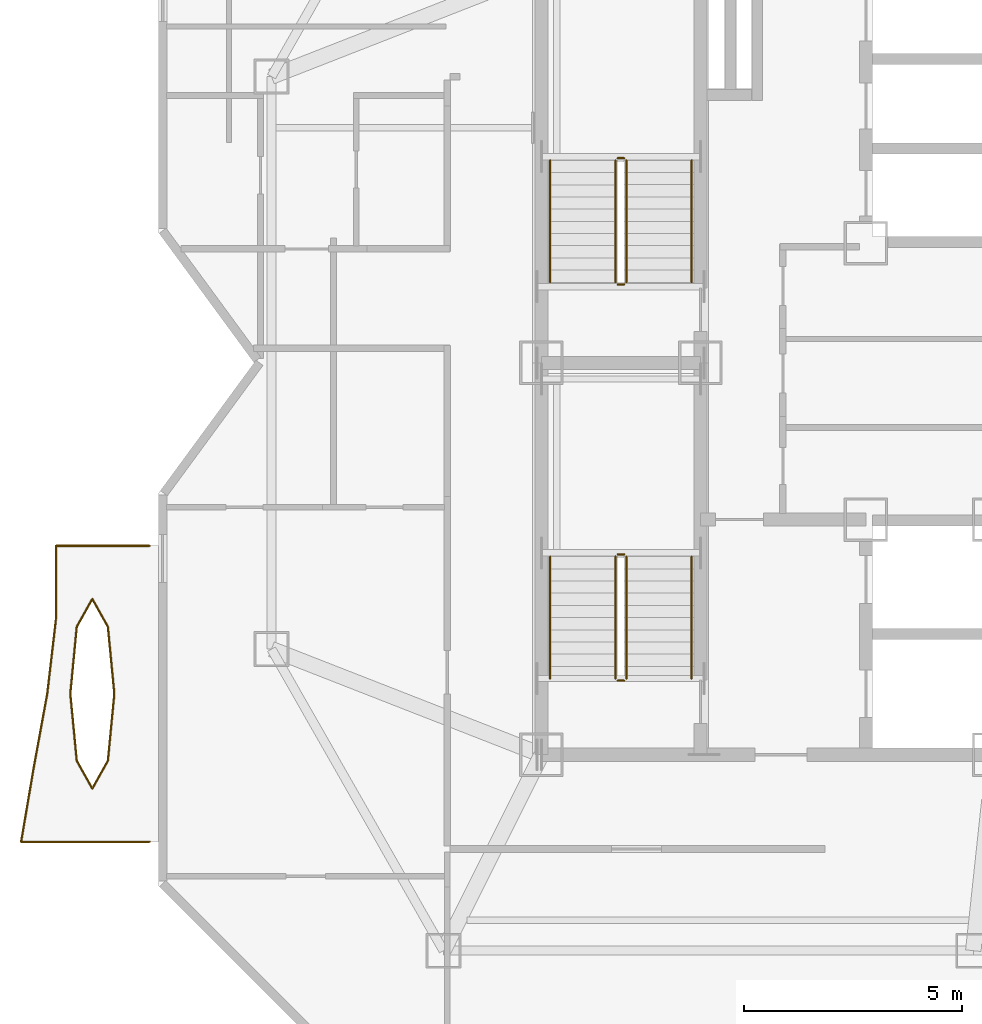
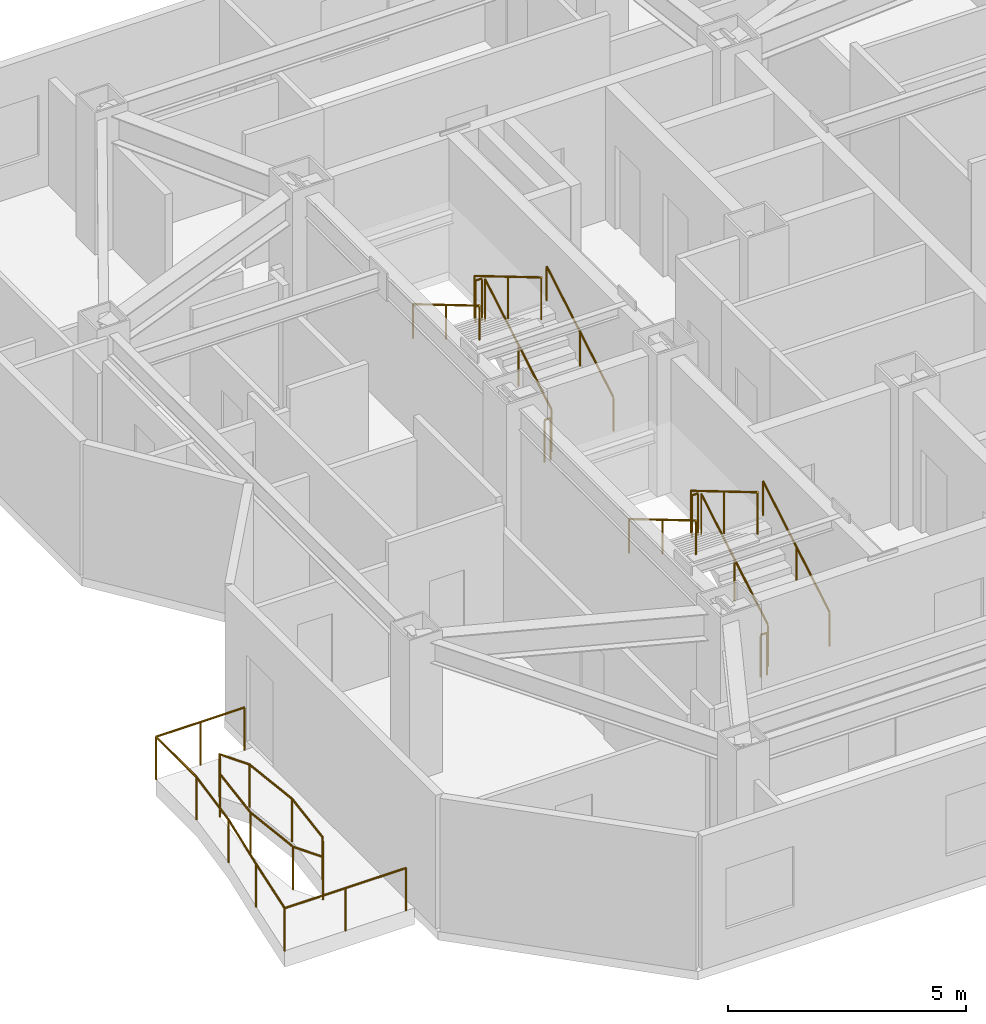
# One storey, part 9 of 10: 16 railings.
"""IFC4 building model written with IfcOpenShell, lengths in metres."""

from ifc_helpers import new_model, si_unit, direction, frame, origin, origin_2d, place, context, subcontext, project, spatial, circle, extrude, material, type_object, element, save


model = new_model("IFC4")

# Units and contexts
model_context = context("Model", 3, precision=1e-05, world=origin(), true_north=direction((0.0, 1.0)))
body_context = subcontext(model_context, "Body", "Model", "MODEL_VIEW")
ifc_project = project(units=[si_unit("LENGTHUNIT", "METRE"), si_unit("AREAUNIT", "SQUARE_METRE"), si_unit("VOLUMEUNIT", "CUBIC_METRE"), si_unit("PLANEANGLEUNIT", "RADIAN"), si_unit("MASSUNIT", "GRAM", prefix="KILO")], contexts=[model_context])

# Site, building, storey
site_placement = place(None, origin())
site = spatial("IfcSite", under=ifc_project, at=site_placement, CompositionType="ELEMENT")
building_placement = place(site_placement, origin())
building = spatial("IfcBuilding", under=site, at=building_placement, Name="Khamvora Tower", CompositionType="ELEMENT")
storey_placement = place(building_placement, frame((0.0, 0.0, 250.050048828125)))
storey = spatial("IfcBuildingStorey", under=building, at=storey_placement, Name="L64", CompositionType="ELEMENT", Elevation=250.050048828125)

# Railings
ifc_material_1 = material(Name="Stainless Steel 316 and Laminated Glass", Category="steel")
railing_type_1 = type_object("IfcRailingType", Name="RAL-GAL-1120", PredefinedType="GUARDRAIL", material=ifc_material_1)
railing_1_placement = place(storey_placement, frame((20.0, 17.0, 0.0)))
element("IfcRailing", 1, at=railing_1_placement, inside=storey, type_object=railing_type_1, Name="L64 lens gallery south perimeter guardrail WL1", PredefinedType="GUARDRAIL", context=body_context, shape_type="SweptSolid", body=[
    extrude(circle(Radius=0.02392578125, at=origin_2d()), frame((0.0, 0.0, 1.09619140625), z_axis=(-1.0, 0.0, 0.0), x_axis=(0.0, -1.0, 0.0)), (0.0, 0.0, 1.0), 2.951904296875),
    extrude(circle(Radius=0.02392578125, at=origin_2d()), frame((-2.951904296875, 0.0, 1.09619140625), z_axis=(0.167497789747, 0.9858724514, 0.0), x_axis=(-0.9858724514, 0.167497789747, 0.0)), (0.0, 0.0, 1.0), 1.724365234375),
    extrude(circle(Radius=0.02392578125, at=origin_2d()), frame((-2.6630859375, 1.699951171875, 1.09619140625), z_axis=(0.179979330703, 0.983670392215, 0.0), x_axis=(-0.983670392215, 0.179979330703, 0.0)), (0.0, 0.0, 1.0), 1.728271484375),
    extrude(circle(Radius=0.02099609375, at=origin_2d()), origin(), (0.0, 0.0, 1.0), 1.072021484375),
    extrude(circle(Radius=0.02099609375, at=origin_2d()), frame((-1.47607421875, 0.0, 0.0)), (0.0, 0.0, 1.0), 1.072021484375),
    extrude(circle(Radius=0.02099609375, at=origin_2d()), frame((-2.951904296875, 0.0, 0.0)), (0.0, 0.0, 1.0), 1.072021484375),
    extrude(circle(Radius=0.02099609375, at=origin_2d()), frame((-2.6630859375, 1.699951171875, 0.0)), (0.0, 0.0, 1.0), 1.072021484375),
    extrude(circle(Radius=0.02099609375, at=origin_2d()), frame((-2.35205078125, 3.39990234375, 0.0)), (0.0, 0.0, 1.0), 1.072021484375),
])
railing_2_placement = place(storey_placement, frame((17.64794921875, 20.39990234375, 0.0)))
element("IfcRailing", 2, at=railing_2_placement, inside=storey, type_object=railing_type_1, Name="L64 lens gallery north perimeter guardrail WL1", PredefinedType="GUARDRAIL", context=body_context, shape_type="SweptSolid", body=[
    extrude(circle(Radius=0.02392578125, at=origin_2d()), frame((0.0, 0.0, 1.09619140625), z_axis=(0.11623715006, 0.993221488363, 0.0), x_axis=(-0.993221488363, 0.11623715006, 0.0)), (0.0, 0.0, 1.0), 1.7119140625),
    extrude(circle(Radius=0.02392578125, at=origin_2d()), frame((0.198974609375, 1.7001953125, 1.09619140625), z_axis=(0.001292545237, 0.999999164663, 0.0), x_axis=(-0.999999164663, 0.001292545237, 0.0)), (0.0, 0.0, 1.0), 1.699951171875),
    extrude(circle(Radius=0.02392578125, at=origin_2d()), frame((0.201171875, 3.400146484375, 1.09619140625), z_axis=(1.0, 0.0, 0.0), x_axis=(0.0, 1.0, 0.0)), (0.0, 0.0, 1.0), 2.15087890625),
    extrude(circle(Radius=0.02099609375, at=origin_2d()), origin(), (0.0, 0.0, 1.0), 1.072021484375),
    extrude(circle(Radius=0.02099609375, at=origin_2d()), frame((0.198974609375, 1.7001953125, 0.0)), (0.0, 0.0, 1.0), 1.072021484375),
    extrude(circle(Radius=0.02099609375, at=origin_2d()), frame((0.201171875, 3.400146484375, 0.0)), (0.0, 0.0, 1.0), 1.072021484375),
    extrude(circle(Radius=0.02099609375, at=origin_2d()), frame((1.276611328125, 3.400146484375, 0.0)), (0.0, 0.0, 1.0), 1.072021484375),
    extrude(circle(Radius=0.02099609375, at=origin_2d()), frame((2.35205078125, 3.400146484375, 0.0)), (0.0, 0.0, 1.0), 1.072021484375),
])
railing_3_placement = place(storey_placement, frame((19.18896484375, 20.39990234375, 0.0)))
element("IfcRailing", 3, at=railing_3_placement, inside=storey, type_object=railing_type_1, Name="L64 lens gallery void guardrail WL1A", PredefinedType="GUARDRAIL", context=body_context, shape_type="SweptSolid", body=[
    extrude(circle(Radius=0.02392578125, at=origin_2d()), frame((0.0, 0.0, 1.09619140625), z_axis=(-0.095688336612, 0.995411343233, 0.0), x_axis=(-0.995411343233, -0.095688336612, 0.0)), (0.0, 0.0, 1.0), 1.546142578125),
    extrude(circle(Radius=0.02392578125, at=origin_2d()), frame((-0.14794921875, 1.5390625, 1.09619140625), z_axis=(-0.487828856646, 0.872939291488, 0.0), x_axis=(-0.872939291488, -0.487828856646, 0.0)), (0.0, 0.0, 1.0), 0.729736328125),
    extrude(circle(Radius=0.02392578125, at=origin_2d()), frame((-0.50390625, 2.176025390625, 1.09619140625), z_axis=(-0.487828856646, -0.872939291488, 0.0), x_axis=(0.872939291488, -0.487828856646, 0.0)), (0.0, 0.0, 1.0), 0.729736328125),
    extrude(circle(Radius=0.02392578125, at=origin_2d()), frame((-0.85986328125, 1.5390625, 1.09619140625), z_axis=(-0.095844788822, -0.99539629116, 0.0), x_axis=(0.99539629116, -0.095844788822, 0.0)), (0.0, 0.0, 1.0), 1.546142578125),
    extrude(circle(Radius=0.02099609375, at=origin_2d()), origin(), (0.0, 0.0, 1.0), 1.072021484375),
    extrude(circle(Radius=0.02099609375, at=origin_2d()), frame((-0.14794921875, 1.5390625, 0.0)), (0.0, 0.0, 1.0), 1.072021484375),
    extrude(circle(Radius=0.02099609375, at=origin_2d()), frame((-0.50390625, 2.176025390625, 0.0)), (0.0, 0.0, 1.0), 1.072021484375),
    extrude(circle(Radius=0.02099609375, at=origin_2d()), frame((-0.85986328125, 1.5390625, 0.0)), (0.0, 0.0, 1.0), 1.072021484375),
    extrude(circle(Radius=0.02099609375, at=origin_2d()), frame((-1.008056640625, 0.0, 0.0)), (0.0, 0.0, 1.0), 1.072021484375),
])
railing_4_placement = place(storey_placement, frame((18.180908203125, 20.39990234375, 0.0)))
element("IfcRailing", 4, at=railing_4_placement, inside=storey, type_object=railing_type_1, Name="L64 lens gallery void guardrail WL1B", PredefinedType="GUARDRAIL", context=body_context, shape_type="SweptSolid", body=[
    extrude(circle(Radius=0.02392578125, at=origin_2d()), frame((0.0, 0.0, 1.09619140625), z_axis=(0.095859855319, -0.995394840321, 0.0), x_axis=(0.995394840321, 0.095859855319, 0.0)), (0.0, 0.0, 1.0), 1.5458984375),
    extrude(circle(Radius=0.02392578125, at=origin_2d()), frame((0.148193359375, -1.538818359375, 1.09619140625), z_axis=(0.487828856646, -0.872939291488, 0.0), x_axis=(0.872939291488, 0.487828856646, 0.0)), (0.0, 0.0, 1.0), 0.729736328125),
    extrude(circle(Radius=0.02392578125, at=origin_2d()), frame((0.504150390625, -2.17578125, 1.09619140625), z_axis=(0.487828856646, 0.872939291488, 0.0), x_axis=(-0.872939291488, 0.487828856646, 0.0)), (0.0, 0.0, 1.0), 0.729736328125),
    extrude(circle(Radius=0.02392578125, at=origin_2d()), frame((0.860107421875, -1.538818359375, 1.09619140625), z_axis=(0.09570337897, 0.995409897105, 0.0), x_axis=(-0.995409897105, 0.09570337897, 0.0)), (0.0, 0.0, 1.0), 1.5458984375),
    extrude(circle(Radius=0.02099609375, at=origin_2d()), origin(), (0.0, 0.0, 1.0), 1.072021484375),
    extrude(circle(Radius=0.02099609375, at=origin_2d()), frame((0.148193359375, -1.538818359375, 0.0)), (0.0, 0.0, 1.0), 1.072021484375),
    extrude(circle(Radius=0.02099609375, at=origin_2d()), frame((0.504150390625, -2.17578125, 0.0)), (0.0, 0.0, 1.0), 1.072021484375),
    extrude(circle(Radius=0.02099609375, at=origin_2d()), frame((0.860107421875, -1.538818359375, 0.0)), (0.0, 0.0, 1.0), 1.072021484375),
    extrude(circle(Radius=0.02099609375, at=origin_2d()), frame((1.008056640625, 0.0, 0.0)), (0.0, 0.0, 1.0), 1.072021484375),
])
ifc_material_2 = material(Name="Brushed Stainless Steel 316", Category="steel")
railing_type_2 = type_object("IfcRailingType", Name="RAL-HDR-920", PredefinedType="HANDRAIL", material=ifc_material_2)
railing_5_placement = place(storey_placement, frame((32.449951171875, 20.75, 0.165771484375)))
element("IfcRailing", 5, at=railing_5_placement, inside=storey, type_object=railing_type_2, Name="L64 ST-01 stair handrail 1", PredefinedType="HANDRAIL", context=body_context, shape_type="SweptSolid", body=[
    extrude(circle(Radius=0.02392578125, at=origin_2d()), frame((0.0, 0.0, 0.8759765625), z_axis=(0.0, 0.860306154799, 0.50977771628), x_axis=(-1.0, 0.0, 0.0)), (0.0, 0.0, 1.0), 3.254638671875),
    extrude(circle(Radius=0.02099609375, at=origin_2d()), origin(), (0.0, 0.0, 1.0), 0.851806640625),
    extrude(circle(Radius=0.02099609375, at=origin_2d()), frame((0.0, 1.39990234375, 0.82958984375)), (0.0, 0.0, 1.0), 0.851806640625),
    extrude(circle(Radius=0.02099609375, at=origin_2d()), frame((0.0, 2.800048828125, 1.6591796875)), (0.0, 0.0, 1.0), 0.851806640625),
])
railing_6_placement = place(storey_placement, frame((29.199951171875, 23.550048828125, 1.990966796875)))
element("IfcRailing", 6, at=railing_6_placement, inside=storey, type_object=railing_type_2, Name="L64 ST-01 stair handrail 2", PredefinedType="HANDRAIL", context=body_context, shape_type="SweptSolid", body=[
    extrude(circle(Radius=0.02392578125, at=origin_2d()), frame((0.0, 0.0, 0.8759765625), z_axis=(0.0, -0.860339051648, 0.50972219513), x_axis=(1.0, 0.0, 0.0)), (0.0, 0.0, 1.0), 3.254638671875),
    extrude(circle(Radius=0.02099609375, at=origin_2d()), origin(), (0.0, 0.0, 1.0), 0.851806640625),
    extrude(circle(Radius=0.02099609375, at=origin_2d()), frame((0.0, -1.39990234375, 0.82958984375)), (0.0, 0.0, 1.0), 0.851806640625),
    extrude(circle(Radius=0.02099609375, at=origin_2d()), frame((0.0, -2.800048828125, 1.658935546875)), (0.0, 0.0, 1.0), 0.851806640625),
])
railing_7_placement = place(storey_placement, frame((32.449951171875, 29.85009765625, 0.165771484375)))
element("IfcRailing", 7, at=railing_7_placement, inside=storey, type_object=railing_type_2, Name="L64 ST-02 stair handrail 1", PredefinedType="HANDRAIL", context=body_context, shape_type="SweptSolid", body=[
    extrude(circle(Radius=0.02392578125, at=origin_2d()), frame((0.0, 0.0, 0.8759765625), z_axis=(0.0, 0.860286659441, 0.509810615413), x_axis=(-1.0, 0.0, 0.0)), (0.0, 0.0, 1.0), 3.25439453125),
    extrude(circle(Radius=0.02099609375, at=origin_2d()), origin(), (0.0, 0.0, 1.0), 0.851806640625),
    extrude(circle(Radius=0.02099609375, at=origin_2d()), frame((0.0, 1.39990234375, 0.82958984375)), (0.0, 0.0, 1.0), 0.851806640625),
    extrude(circle(Radius=0.02099609375, at=origin_2d()), frame((0.0, 2.7998046875, 1.6591796875)), (0.0, 0.0, 1.0), 0.851806640625),
])
railing_8_placement = place(storey_placement, frame((29.199951171875, 32.64990234375, 1.990966796875)))
element("IfcRailing", 8, at=railing_8_placement, inside=storey, type_object=railing_type_2, Name="L64 ST-02 stair handrail 2", PredefinedType="HANDRAIL", context=body_context, shape_type="SweptSolid", body=[
    extrude(circle(Radius=0.02392578125, at=origin_2d()), frame((0.0, 0.0, 0.8759765625), z_axis=(0.0, -0.860319559791, 0.509755093197), x_axis=(1.0, 0.0, 0.0)), (0.0, 0.0, 1.0), 3.25439453125),
    extrude(circle(Radius=0.02099609375, at=origin_2d()), origin(), (0.0, 0.0, 1.0), 0.851806640625),
    extrude(circle(Radius=0.02099609375, at=origin_2d()), frame((0.0, -1.39990234375, 0.82958984375)), (0.0, 0.0, 1.0), 0.851806640625),
    extrude(circle(Radius=0.02099609375, at=origin_2d()), frame((0.0, -2.7998046875, 1.658935546875)), (0.0, 0.0, 1.0), 0.851806640625),
])
ifc_material_3 = material(Name="Stainless Steel 316", Category="steel")
railing_type_3 = type_object("IfcRailingType", Name="RAL-STG-1100", PredefinedType="GUARDRAIL", material=ifc_material_3)
railing_9_placement = place(storey_placement, frame((30.949951171875, 20.75, 0.165771484375)))
element("IfcRailing", 9, at=railing_9_placement, inside=storey, type_object=railing_type_3, Name="L64 ST-01 stair guard 1", PredefinedType="GUARDRAIL", context=body_context, shape_type="SweptSolid", body=[
    extrude(circle(Radius=0.02392578125, at=origin_2d()), frame((0.0, 0.0, 1.076171875), z_axis=(0.0, 0.860306154799, 0.50977771628), x_axis=(-1.0, 0.0, 0.0)), (0.0, 0.0, 1.0), 3.254638671875),
    extrude(circle(Radius=0.02099609375, at=origin_2d()), origin(), (0.0, 0.0, 1.0), 1.052001953125),
    extrude(circle(Radius=0.02099609375, at=origin_2d()), frame((0.0, 1.39990234375, 0.82958984375)), (0.0, 0.0, 1.0), 1.052001953125),
    extrude(circle(Radius=0.02099609375, at=origin_2d()), frame((0.0, 2.800048828125, 1.6591796875)), (0.0, 0.0, 1.0), 1.052001953125),
])
railing_10_placement = place(storey_placement, frame((30.89990234375, 23.60009765625, 1.824951171875)))
element("IfcRailing", 10, at=railing_10_placement, inside=storey, type_object=railing_type_3, Name="L64 ST-01 stair guard 2", PredefinedType="GUARDRAIL", context=body_context, shape_type="SweptSolid", body=[
    extrude(circle(Radius=0.02392578125, at=origin_2d()), frame((0.0, 0.0, 1.076171875), z_axis=(-1.0, 0.0, 0.0), x_axis=(0.0, -1.0, 0.0)), (0.0, 0.0, 1.0), 0.14990234375),
    extrude(circle(Radius=0.02099609375, at=origin_2d()), origin(), (0.0, 0.0, 1.0), 1.052001953125),
    extrude(circle(Radius=0.02099609375, at=origin_2d()), frame((-0.14990234375, 0.0, 0.0)), (0.0, 0.0, 1.0), 1.052001953125),
])
railing_11_placement = place(storey_placement, frame((30.699951171875, 23.550048828125, 1.990966796875)))
element("IfcRailing", 11, at=railing_11_placement, inside=storey, type_object=railing_type_3, Name="L64 ST-01 stair guard 3", PredefinedType="GUARDRAIL", context=body_context, shape_type="SweptSolid", body=[
    extrude(circle(Radius=0.02392578125, at=origin_2d()), frame((0.0, 0.0, 1.076171875), z_axis=(0.0, -0.860339051648, 0.50972219513), x_axis=(1.0, 0.0, 0.0)), (0.0, 0.0, 1.0), 3.254638671875),
    extrude(circle(Radius=0.02099609375, at=origin_2d()), origin(), (0.0, 0.0, 1.0), 1.052001953125),
    extrude(circle(Radius=0.02099609375, at=origin_2d()), frame((0.0, -1.39990234375, 0.82958984375)), (0.0, 0.0, 1.0), 1.052001953125),
    extrude(circle(Radius=0.02099609375, at=origin_2d()), frame((0.0, -2.800048828125, 1.658935546875)), (0.0, 0.0, 1.0), 1.052001953125),
])
railing_12_placement = place(storey_placement, frame((30.89990234375, 20.699951171875, 0.0)))
element("IfcRailing", 12, at=railing_12_placement, inside=storey, type_object=railing_type_3, Name="L64 ST-01 stair guard 4", PredefinedType="GUARDRAIL", context=body_context, shape_type="SweptSolid", body=[
    extrude(circle(Radius=0.02392578125, at=origin_2d()), frame((0.0, 0.0, 1.076171875), z_axis=(-1.0, 0.0, 0.0), x_axis=(0.0, -1.0, 0.0)), (0.0, 0.0, 1.0), 0.14990234375),
    extrude(circle(Radius=0.02099609375, at=origin_2d()), origin(), (0.0, 0.0, 1.0), 1.052001953125),
    extrude(circle(Radius=0.02099609375, at=origin_2d()), frame((-0.14990234375, 0.0, 0.0)), (0.0, 0.0, 1.0), 1.052001953125),
])
railing_13_placement = place(storey_placement, frame((30.949951171875, 29.85009765625, 0.165771484375)))
element("IfcRailing", 13, at=railing_13_placement, inside=storey, type_object=railing_type_3, Name="L64 ST-02 stair guard 1", PredefinedType="GUARDRAIL", context=body_context, shape_type="SweptSolid", body=[
    extrude(circle(Radius=0.02392578125, at=origin_2d()), frame((0.0, 0.0, 1.076171875), z_axis=(0.0, 0.860286659441, 0.509810615413), x_axis=(-1.0, 0.0, 0.0)), (0.0, 0.0, 1.0), 3.25439453125),
    extrude(circle(Radius=0.02099609375, at=origin_2d()), origin(), (0.0, 0.0, 1.0), 1.052001953125),
    extrude(circle(Radius=0.02099609375, at=origin_2d()), frame((0.0, 1.39990234375, 0.82958984375)), (0.0, 0.0, 1.0), 1.052001953125),
    extrude(circle(Radius=0.02099609375, at=origin_2d()), frame((0.0, 2.7998046875, 1.6591796875)), (0.0, 0.0, 1.0), 1.052001953125),
])
railing_14_placement = place(storey_placement, frame((30.89990234375, 32.699951171875, 1.824951171875)))
element("IfcRailing", 14, at=railing_14_placement, inside=storey, type_object=railing_type_3, Name="L64 ST-02 stair guard 2", PredefinedType="GUARDRAIL", context=body_context, shape_type="SweptSolid", body=[
    extrude(circle(Radius=0.02392578125, at=origin_2d()), frame((0.0, 0.0, 1.076171875), z_axis=(-1.0, 0.0, 0.0), x_axis=(0.0, -1.0, 0.0)), (0.0, 0.0, 1.0), 0.14990234375),
    extrude(circle(Radius=0.02099609375, at=origin_2d()), origin(), (0.0, 0.0, 1.0), 1.052001953125),
    extrude(circle(Radius=0.02099609375, at=origin_2d()), frame((-0.14990234375, 0.0, 0.0)), (0.0, 0.0, 1.0), 1.052001953125),
])
railing_15_placement = place(storey_placement, frame((30.699951171875, 32.64990234375, 1.990966796875)))
element("IfcRailing", 15, at=railing_15_placement, inside=storey, type_object=railing_type_3, Name="L64 ST-02 stair guard 3", PredefinedType="GUARDRAIL", context=body_context, shape_type="SweptSolid", body=[
    extrude(circle(Radius=0.02392578125, at=origin_2d()), frame((0.0, 0.0, 1.076171875), z_axis=(0.0, -0.860319559791, 0.509755093197), x_axis=(1.0, 0.0, 0.0)), (0.0, 0.0, 1.0), 3.25439453125),
    extrude(circle(Radius=0.02099609375, at=origin_2d()), origin(), (0.0, 0.0, 1.0), 1.052001953125),
    extrude(circle(Radius=0.02099609375, at=origin_2d()), frame((0.0, -1.39990234375, 0.82958984375)), (0.0, 0.0, 1.0), 1.052001953125),
    extrude(circle(Radius=0.02099609375, at=origin_2d()), frame((0.0, -2.7998046875, 1.658935546875)), (0.0, 0.0, 1.0), 1.052001953125),
])
railing_16_placement = place(storey_placement, frame((30.89990234375, 29.800048828125, 0.0)))
element("IfcRailing", 16, at=railing_16_placement, inside=storey, type_object=railing_type_3, Name="L64 ST-02 stair guard 4", PredefinedType="GUARDRAIL", context=body_context, shape_type="SweptSolid", body=[
    extrude(circle(Radius=0.02392578125, at=origin_2d()), frame((0.0, 0.0, 1.076171875), z_axis=(-1.0, 0.0, 0.0), x_axis=(0.0, -1.0, 0.0)), (0.0, 0.0, 1.0), 0.14990234375),
    extrude(circle(Radius=0.02099609375, at=origin_2d()), origin(), (0.0, 0.0, 1.0), 1.052001953125),
    extrude(circle(Radius=0.02099609375, at=origin_2d()), frame((-0.14990234375, 0.0, 0.0)), (0.0, 0.0, 1.0), 1.052001953125),
])

save(model, "model.ifc")
